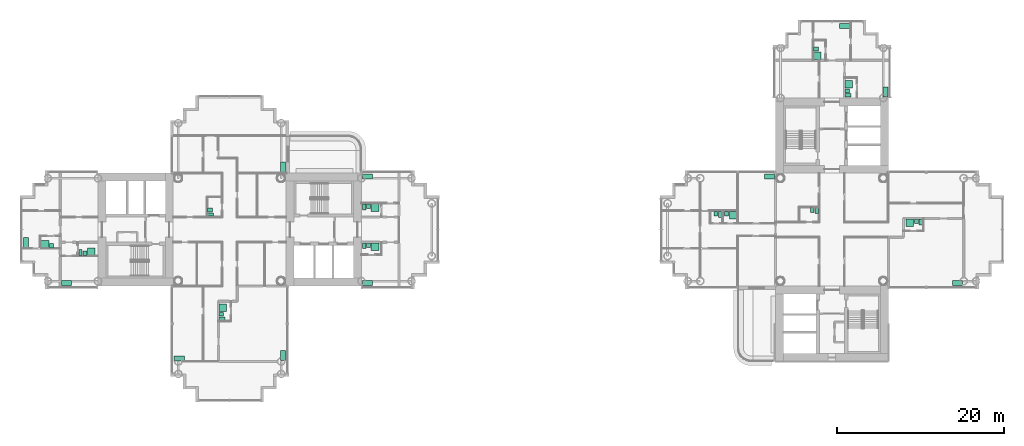
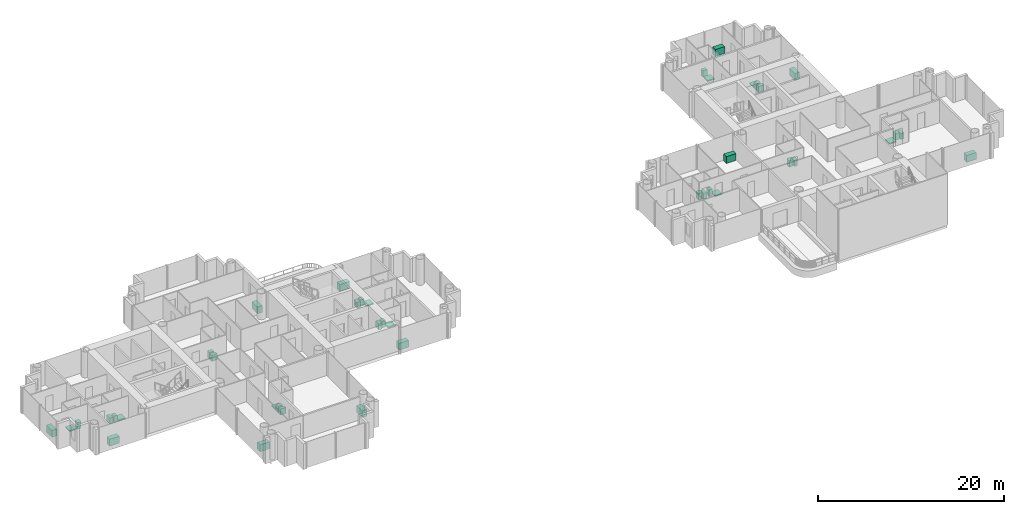
# One storey, part 22 of 22: 41 sanitary terminals.
"""IFC4 building model written with IfcOpenShell, lengths in metres."""

from ifc_helpers import new_model, si_unit, direction, frame, origin, origin_2d, place, context, subcontext, project, spatial, rectangle, extrude, material, type_object, element, save


model = new_model("IFC4")

# Units and contexts
model_context = context("Model", 3, precision=1e-05, world=origin(), true_north=direction((0.0, 1.0)))
body_context = subcontext(model_context, "Body", "Model", "MODEL_VIEW")
ifc_project = project(units=[si_unit("LENGTHUNIT", "METRE"), si_unit("AREAUNIT", "SQUARE_METRE"), si_unit("VOLUMEUNIT", "CUBIC_METRE"), si_unit("PLANEANGLEUNIT", "RADIAN"), si_unit("MASSUNIT", "GRAM", prefix="KILO")], contexts=[model_context])

# Site, building, storey
site_placement = place(None, origin())
site = spatial("IfcSite", under=ifc_project, at=site_placement, CompositionType="ELEMENT")
building_placement = place(site_placement, origin())
building = spatial("IfcBuilding", under=site, at=building_placement, Name="Ipe Terrace Towers", CompositionType="ELEMENT")
storey_placement = place(building_placement, frame((0.0, 0.0, 110.60009765625)))
storey = spatial("IfcBuildingStorey", under=building, at=storey_placement, Name="L30", CompositionType="ELEMENT", Elevation=110.60009765625)

# Sanitary terminals
ifc_material_1 = material(Name="Stainless sink unit", Category="metal")
sanitary_terminal_type_1 = type_object("IfcSanitaryTerminalType", Name="Kitchen sink unit", PredefinedType="SINK", material=ifc_material_1)
for number, where, z_axis, x_axis, name in (
    (1, (-29.6201171875, 7.469970703125, 0.0), (0.0, 0.0, 1.0), (0.0, -1.0, 0.0), "Kitchen sink unit"),
    (2, (-29.6201171875, -15.030029296875, 0.0), (0.0, 0.0, 1.0), (0.0, -1.0, 0.0), "Kitchen sink unit"),
    (3, (-42.030029296875, -15.3798828125, 0.0), (0.0, 0.0, 1.0), (-1.0, 0.0, 0.0), "Kitchen sink unit"),
    (4, (-19.530029296875, 6.3798828125, 0.0), (0.0, 0.0, 1.0), (1.0, 0.0, 0.0), "Kitchen sink unit"),
    (5, (-19.530029296875, -6.3798828125, 0.0), (0.0, 0.0, 1.0), (-1.0, 0.0, 0.0), "Kitchen sink unit"),
    (6, (-55.530029296875, -6.3798828125, 0.0), (0.0, 0.0, 1.0), (-1.0, 0.0, 0.0), "Kitchen sink unit"),
    (7, (-60.3798828125, -1.530029296875, 0.0), (0.0, 0.0, 1.0), (0.0, 1.0, 0.0), "Kitchen sink unit"),
    (8, (28.530029296875, 6.3798828125, 0.0), (0.0, 0.0, 1.0), (1.0, 0.0, 0.0), "Kitchen sink unit"),
    (9, (51.030029296875, -6.3798828125, 0.0), (0.0, 0.0, 1.0), (-1.0, 0.0, 0.0), "Kitchen sink unit"),
    (10, (42.3798828125, 16.469970703125, 0.0), (0.0, 0.0, 1.0), (0.0, -1.0, 0.0), "Kitchen sink unit"),
    (11, (37.530029296875, 24.3798828125, 0.0), (0.0, 0.0, 1.0), (1.0, 0.0, 0.0), "Kitchen sink unit"),
):
    element("IfcSanitaryTerminal", number, at=place(storey_placement, frame(where, z_axis=z_axis, x_axis=x_axis)), inside=storey, type_object=sanitary_terminal_type_1, Name=name, PredefinedType="SINK", context=body_context, shape_type="SweptSolid", body=[
        extrude(rectangle(XDim=1.199951171875, YDim=0.60009765625, at=origin_2d()), origin(), (0.0, 0.0, 1.0), 0.89990234375),
    ])
ifc_material_2 = material(Name="Acrylic", Category="plastic")
sanitary_terminal_type_2 = type_object("IfcSanitaryTerminalType", Name="Shower tray", PredefinedType="SHOWER", material=ifc_material_2)
for number, where, z_axis, x_axis, name in (
    (12, (-36.830078125, -9.330078125, 0.0), (0.0, 0.0, 1.0), (1.0, 0.0, 0.0), "Shower tray"),
    (13, (-18.6298828125, 2.6298828125, 0.0), (0.0, 0.0, 1.0), (0.0, -1.0, 0.0), "Shower tray"),
    (14, (-18.6298828125, -2.02001953125, 0.0), (0.0, 0.0, 1.0), (0.0, -1.0, 0.0), "Shower tray"),
    (15, (-52.530029296875, -2.6298828125, 0.0), (0.0, 0.0, 1.0), (0.0, 1.0, 0.0), "Shower tray"),
    (16, (-58.080078125, -1.72998046875, 0.0), (0.0, 0.0, 1.0), (0.0, 1.0, 0.0), "Shower tray"),
    (17, (24.179931640625, 1.72998046875, 0.0), (0.0, 0.0, 1.0), (0.0, -1.0, 0.0), "Shower tray"),
    (18, (45.330078125, 0.830078125, 0.0), (0.0, 0.0, 1.0), (0.0, -1.0, 0.0), "Shower tray"),
    (19, (38.02001953125, 17.3701171875, 0.0), (0.0, 0.0, 1.0), (1.0, 0.0, 0.0), "Shower tray"),
    (20, (34.27001953125, 20.820068359375, 0.0), (0.0, 0.0, 1.0), (1.0, 0.0, 0.0), "Shower tray"),
):
    element("IfcSanitaryTerminal", number, at=place(storey_placement, frame(where, z_axis=z_axis, x_axis=x_axis)), inside=storey, type_object=sanitary_terminal_type_2, Name=name, PredefinedType="SHOWER", context=body_context, shape_type="SweptSolid", body=[
        extrude(rectangle(XDim=0.89990234375, YDim=0.89990234375, at=origin_2d()), origin(), (0.0, 0.0, 1.0), 0.14990234375),
    ])
ifc_material_3 = material(Name="Vitreous china", Category="ceramic")
sanitary_terminal_type_3 = type_object("IfcSanitaryTerminalType", Name="Wash basin", PredefinedType="WASHHANDBASIN", material=ifc_material_3)
for number, where, z_axis, x_axis, name in (
    (21, (-38.35498046875, 2.344970703125, -0.000244140625), (0.0, 0.0, 1.0), (1.0, 0.0, 0.0), "Wash basin"),
    (22, (-37.0048828125, -10.10498046875, -0.000244140625), (0.0, 0.0, 1.0), (1.0, 0.0, 0.0), "Wash basin"),
    (23, (-19.405029296875, 2.804931640625, -0.000244140625), (0.0, 0.0, 1.0), (0.0, -1.0, 0.0), "Wash basin"),
    (24, (-19.405029296875, -1.844970703125, -0.000244140625), (0.0, 0.0, 1.0), (0.0, -1.0, 0.0), "Wash basin"),
    (25, (-53.304931640625, -2.804931640625, -0.000244140625), (0.0, 0.0, 1.0), (0.0, 1.0, 0.0), "Wash basin"),
    (26, (-57.304931640625, -1.905029296875, -0.000244140625), (0.0, 0.0, 1.0), (0.0, 1.0, 0.0), "Wash basin"),
    (27, (33.655029296875, 2.35498046875, -0.000244140625), (0.0, 0.0, 1.0), (0.0, -1.0, 0.0), "Wash basin"),
    (28, (23.405029296875, 1.905029296875, -0.000244140625), (0.0, 0.0, 1.0), (0.0, -1.0, 0.0), "Wash basin"),
    (29, (22.10498046875, 1.905029296875, -0.000244140625), (0.0, 0.0, 1.0), (0.0, -1.0, 0.0), "Wash basin"),
    (30, (46.10498046875, 1.0048828125, -0.000244140625), (0.0, 0.0, 1.0), (0.0, -1.0, 0.0), "Wash basin"),
    (31, (37.844970703125, 16.594970703125, -0.000244140625), (0.0, 0.0, 1.0), (1.0, 0.0, 0.0), "Wash basin"),
    (32, (34.094970703125, 21.594970703125, -0.000244140625), (0.0, 0.0, 1.0), (1.0, 0.0, 0.0), "Wash basin"),
):
    element("IfcSanitaryTerminal", number, at=place(storey_placement, frame(where, z_axis=z_axis, x_axis=x_axis)), inside=storey, type_object=sanitary_terminal_type_3, Name=name, PredefinedType="WASHHANDBASIN", context=body_context, shape_type="SweptSolid", body=[
        extrude(rectangle(XDim=0.550048828125, YDim=0.449951171875, at=origin_2d()), origin(), (0.0, 0.0, 1.0), 0.85009765625),
    ])
ifc_material_4 = material(Name="Vitreous china", Category="ceramic")
sanitary_terminal_type_4 = type_object("IfcSanitaryTerminalType", Name="Water closet", PredefinedType="TOILETPAN", material=ifc_material_4)
for number, where, z_axis, x_axis, name in (
    (33, (-38.280029296875, 1.820068359375, 0.0), (0.0, 0.0, 1.0), (1.0, 0.0, 0.0), "Water closet"),
    (34, (-36.929931640625, -10.6298828125, 0.0), (0.0, 0.0, 1.0), (1.0, 0.0, 0.0), "Water closet"),
    (35, (-19.929931640625, 2.72998046875, 0.0), (0.0, 0.0, 1.0), (0.0, -1.0, 0.0), "Water closet"),
    (36, (-19.929931640625, -1.919921875, 0.0), (0.0, 0.0, 1.0), (0.0, -1.0, 0.0), "Water closet"),
    (37, (-53.830078125, -2.72998046875, 0.0), (0.0, 0.0, 1.0), (0.0, 1.0, 0.0), "Water closet"),
    (38, (34.179931640625, 2.280029296875, 0.0), (0.0, 0.0, 1.0), (0.0, -1.0, 0.0), "Water closet"),
    (39, (22.6298828125, 1.830078125, 0.0), (0.0, 0.0, 1.0), (0.0, -1.0, 0.0), "Water closet"),
    (40, (46.6298828125, 0.929931640625, 0.0), (0.0, 0.0, 1.0), (0.0, -1.0, 0.0), "Water closet"),
    (41, (37.919921875, 16.070068359375, 0.0), (0.0, 0.0, 1.0), (1.0, 0.0, 0.0), "Water closet"),
):
    element("IfcSanitaryTerminal", number, at=place(storey_placement, frame(where, z_axis=z_axis, x_axis=x_axis)), inside=storey, type_object=sanitary_terminal_type_4, Name=name, PredefinedType="TOILETPAN", context=body_context, shape_type="SweptSolid", body=[
        extrude(rectangle(XDim=0.699951171875, YDim=0.39990234375, at=origin_2d()), origin(), (0.0, 0.0, 1.0), 0.780029296875),
    ])

save(model, "model.ifc")
